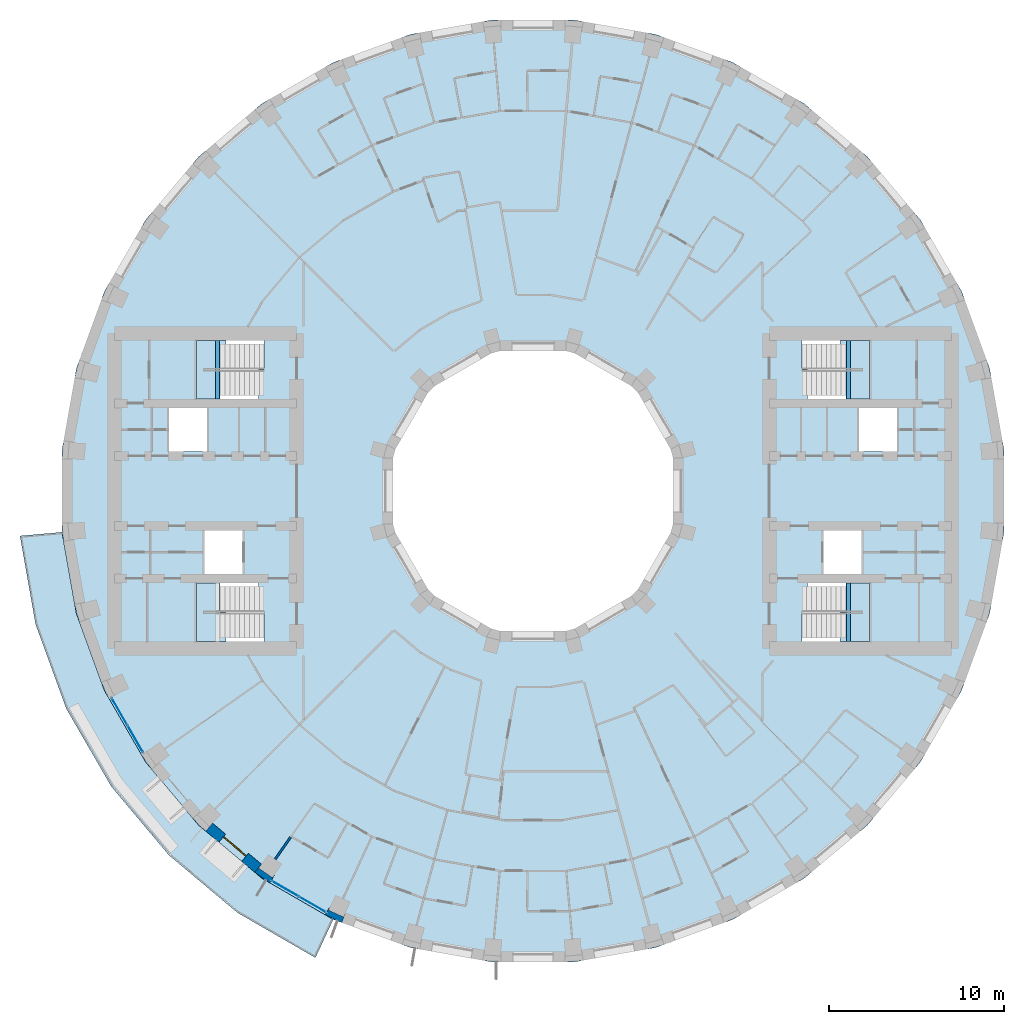
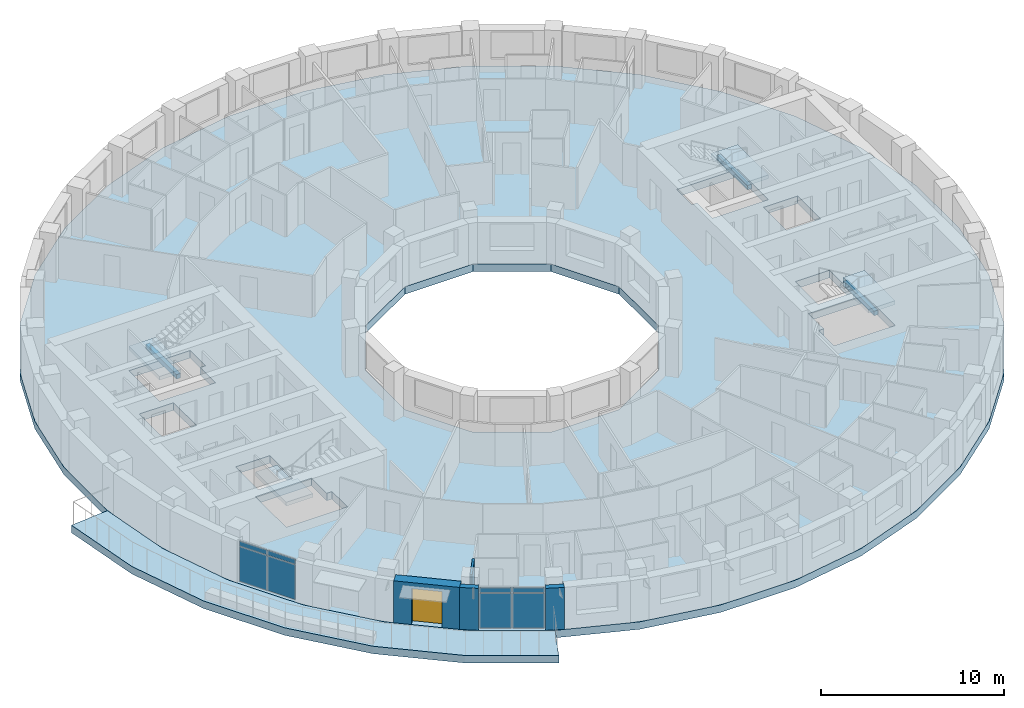
# One storey, part 3 of 16: 8 plates, 6 slabs, 4 walls, 3 beams, 1 door, 1 opening, 6 elements without a shape of their own.
"""IFC4 building model written with IfcOpenShell, lengths in metres."""

from ifc_helpers import new_model, si_unit, direction, frame, frame_2d, origin, origin_2d, place, context, subcontext, project, spatial, polyline, rectangle, outline, extrude, material, layer, layer_set, material_profile, profile_set, type_object, element, fill, aggregate, save


model = new_model("IFC4")

# Units and contexts
model_context = context("Model", 3, precision=1e-05, world=origin(), true_north=direction((0.0, 1.0)))
body_context = subcontext(model_context, "Body", "Model", "MODEL_VIEW")
ifc_project = project(units=[si_unit("LENGTHUNIT", "METRE"), si_unit("AREAUNIT", "SQUARE_METRE"), si_unit("VOLUMEUNIT", "CUBIC_METRE"), si_unit("PLANEANGLEUNIT", "RADIAN"), si_unit("MASSUNIT", "GRAM", prefix="KILO")], contexts=[model_context])

# Site, building, storey
site_placement = place(None, origin())
site = spatial("IfcSite", under=ifc_project, at=site_placement, CompositionType="ELEMENT")
building_placement = place(site_placement, origin())
building = spatial("IfcBuilding", under=site, at=building_placement, Name="Saqina Gate Tower", CompositionType="ELEMENT")
storey_placement = place(building_placement, frame((0.0, 0.0, 128.199951171875)))
storey = spatial("IfcBuildingStorey", under=building, at=storey_placement, Name="L36", CompositionType="ELEMENT", Elevation=128.199951171875)

# Beams
ifc_material_1 = material(Name="Concrete C40/50", Category="concrete")
ifc_material_profile = material_profile(ifc_material_1, rectangle(XDim=0.25, YDim=0.300048828125, at=origin_2d()), Name="STAIR LANDING BEAM")
ifc_profile_set = profile_set([ifc_material_profile], Name="Concrete C40/50")
beam_type = type_object("IfcBeamType", Name="STAIR LANDING BEAM", PredefinedType="BEAM", material=ifc_profile_set)
for number, where, z_axis, x_axis, name in (
    (1, (18.02001953125, 5.25, 1.25), (0.0, 1.0, 0.0), (-1.0, 0.0, 0.0), "EXIT STAIR 1 LANDING BEAM"),
    (2, (18.02001953125, -8.60009765625, 1.25), (0.0, 1.0, 0.0), (-1.0, 0.0, 0.0), "EXIT STAIR 2 LANDING BEAM"),
    (3, (-18.02001953125, 5.25, 1.25), (0.0, 1.0, 0.0), (-1.0, 0.0, 0.0), "EXIT STAIR 3 LANDING BEAM"),
):
    element("IfcBeam", number, at=place(storey_placement, frame(where, z_axis=z_axis, x_axis=x_axis)), inside=storey, type_object=beam_type, Name=name, PredefinedType="BEAM", context=body_context, shape_type="SweptSolid", body=[
        extrude(rectangle(XDim=0.25, YDim=0.300048828125, at=origin_2d()), origin(), (0.0, 0.0, 1.0), 3.35009765625),
    ])

# Curtain wall, plates
ifc_material_2 = material(Name="Aluminium glazing", Category="aluminium")
ifc_layer_1 = layer(ifc_material_2, 0.159912109375)
ifc_layer_set_1 = layer_set([ifc_layer_1], Name="CWT-4")
curtain_wall_type = type_object("IfcCurtainWallType", Name="CWT-4", PredefinedType="NOTDEFINED", material=ifc_layer_set_1)
curtain_wall_1_placement = place(storey_placement, origin())
curtain_wall_1 = element("IfcCurtainWall", 4, at=curtain_wall_1_placement, inside=storey, type_object=curtain_wall_type, Name="Terrace lounge glazing facet 21", PredefinedType="NOTDEFINED")
ifc_material_3 = material(Name="Glass", Category="glass")
ifc_layer_2 = layer(ifc_material_3, 0.028076171875)
ifc_layer_set_2 = layer_set([ifc_layer_2], Name="CWT-4P")
plate_type = type_object("IfcPlateType", Name="CWT-4P", PredefinedType="CURTAIN_PANEL", material=ifc_layer_set_2)
plate_1_placement = place(storey_placement, frame((-23.6123046875, -12.596923828125, 0.06005859375), z_axis=(0.0, 0.0, 1.0), x_axis=(0.499998512381, -0.86602626266, 0.0)))
plate_1 = element("IfcPlate", 5, at=plate_1_placement, type_object=plate_type, Name="CW4-21 panel 1.1", PredefinedType="CURTAIN_PANEL", context=body_context, shape_type="SweptSolid", body=[
    extrude(rectangle(XDim=1.73388671875, YDim=0.028076171875, at=origin_2d()), origin(), (0.0, 0.0, 1.0), 2.31005859375),
])
plate_2_placement = place(storey_placement, frame((-23.6123046875, -12.596923828125, 2.429931640625), z_axis=(0.0, 0.0, 1.0), x_axis=(0.499998512381, -0.86602626266, 0.0)))
plate_2 = element("IfcPlate", 6, at=plate_2_placement, type_object=plate_type, Name="CW4-21 panel 1.2", PredefinedType="CURTAIN_PANEL", context=body_context, shape_type="SweptSolid", body=[
    extrude(rectangle(XDim=1.73388671875, YDim=0.028076171875, at=origin_2d()), origin(), (0.0, 0.0, 1.0), 0.31005859375),
])
plate_3_placement = place(storey_placement, frame((-22.71533203125, -14.150390625, 0.06005859375), z_axis=(0.0, 0.0, 1.0), x_axis=(0.499998512381, -0.86602626266, 0.0)))
plate_3 = element("IfcPlate", 7, at=plate_3_placement, type_object=plate_type, Name="CW4-21 panel 2.1", PredefinedType="CURTAIN_PANEL", context=body_context, shape_type="SweptSolid", body=[
    extrude(rectangle(XDim=1.73388671875, YDim=0.028076171875, at=origin_2d()), origin(), (0.0, 0.0, 1.0), 2.31005859375),
])
plate_4_placement = place(storey_placement, frame((-22.71533203125, -14.150390625, 2.429931640625), z_axis=(0.0, 0.0, 1.0), x_axis=(0.499998512381, -0.86602626266, 0.0)))
plate_4 = element("IfcPlate", 8, at=plate_4_placement, type_object=plate_type, Name="CW4-21 panel 2.2", PredefinedType="CURTAIN_PANEL", context=body_context, shape_type="SweptSolid", body=[
    extrude(rectangle(XDim=1.73388671875, YDim=0.028076171875, at=origin_2d()), origin(), (0.0, 0.0, 1.0), 0.31005859375),
])
aggregate(curtain_wall_1, [plate_1, plate_2, plate_3, plate_4])

curtain_wall_2_placement = place(storey_placement, origin())
curtain_wall_2 = element("IfcCurtainWall", 9, at=curtain_wall_2_placement, inside=storey, type_object=curtain_wall_type, Name="Terrace lounge glazing facet 24", PredefinedType="NOTDEFINED")
plate_5_placement = place(storey_placement, frame((-14.150390625, -22.71533203125, 0.06005859375), z_axis=(0.0, 0.0, 1.0), x_axis=(0.86602626266, -0.499998512381, 0.0)))
plate_5 = element("IfcPlate", 10, at=plate_5_placement, type_object=plate_type, Name="CW4-24 panel 1.1", PredefinedType="CURTAIN_PANEL", context=body_context, shape_type="SweptSolid", body=[
    extrude(rectangle(XDim=1.73388671875, YDim=0.028076171875, at=origin_2d()), origin(), (0.0, 0.0, 1.0), 2.31005859375),
])
plate_6_placement = place(storey_placement, frame((-14.150390625, -22.71533203125, 2.429931640625), z_axis=(0.0, 0.0, 1.0), x_axis=(0.86602626266, -0.499998512381, 0.0)))
plate_6 = element("IfcPlate", 11, at=plate_6_placement, type_object=plate_type, Name="CW4-24 panel 1.2", PredefinedType="CURTAIN_PANEL", context=body_context, shape_type="SweptSolid", body=[
    extrude(rectangle(XDim=1.73388671875, YDim=0.028076171875, at=origin_2d()), origin(), (0.0, 0.0, 1.0), 0.31005859375),
])
plate_7_placement = place(storey_placement, frame((-12.596923828125, -23.6123046875, 0.06005859375), z_axis=(0.0, 0.0, 1.0), x_axis=(0.86602626266, -0.499998512381, 0.0)))
plate_7 = element("IfcPlate", 12, at=plate_7_placement, type_object=plate_type, Name="CW4-24 panel 2.1", PredefinedType="CURTAIN_PANEL", context=body_context, shape_type="SweptSolid", body=[
    extrude(rectangle(XDim=1.73388671875, YDim=0.028076171875, at=origin_2d()), origin(), (0.0, 0.0, 1.0), 2.31005859375),
])
plate_8_placement = place(storey_placement, frame((-12.596923828125, -23.6123046875, 2.429931640625), z_axis=(0.0, 0.0, 1.0), x_axis=(0.86602626266, -0.499998512381, 0.0)))
plate_8 = element("IfcPlate", 13, at=plate_8_placement, type_object=plate_type, Name="CW4-24 panel 2.2", PredefinedType="CURTAIN_PANEL", context=body_context, shape_type="SweptSolid", body=[
    extrude(rectangle(XDim=1.73388671875, YDim=0.028076171875, at=origin_2d()), origin(), (0.0, 0.0, 1.0), 0.31005859375),
])
aggregate(curtain_wall_2, [plate_5, plate_6, plate_7, plate_8])

# Stair, slab
ifc_material_4 = material(Name="Concrete C40/50", Category="concrete")
stair_type = type_object("IfcStairType", Name="EXIT STAIR", PredefinedType="HALF_TURN_STAIR", material=ifc_material_4)
stair_1_placement = place(storey_placement, origin())
stair_1 = element("IfcStair", 14, at=stair_1_placement, inside=storey, type_object=stair_type, Name="EXIT STAIR 1", PredefinedType="HALF_TURN_STAIR")
ifc_material_5 = material(Name="Concrete C40/50", Category="concrete")
ifc_layer_3 = layer(ifc_material_5, 0.25)
ifc_layer_set_3 = layer_set([ifc_layer_3], Name="Concrete C40/50")
slab_type_1 = type_object("IfcSlabType", Name="EXIT STAIR LANDING", PredefinedType="LANDING", material=ifc_layer_set_3)
slab_1_placement = place(storey_placement, frame((0.0, 0.0, 1.400146484375)))
slab_1 = element("IfcSlab", 15, at=slab_1_placement, type_object=slab_type_1, Name="EXIT STAIR 1 LANDING 1", PredefinedType="LANDING", context=body_context, shape_type="SweptSolid", body=[
    extrude(outline(polyline([(19.219970703125, 8.60009765625), (19.219970703125, 5.25), (17.864990234375, 5.25), (17.864990234375, 6.925048828125), (17.534423828125, 6.925048828125), (17.534423828125, 8.60009765625), (17.864990234375, 8.60009765625), (17.8701171875, 8.60009765625), (19.219970703125, 8.60009765625)])), origin(), (0.0, 0.0, 1.0), 0.25),
])
aggregate(stair_1, [slab_1])

stair_2_placement = place(storey_placement, origin())
stair_2 = element("IfcStair", 16, at=stair_2_placement, inside=storey, type_object=stair_type, Name="EXIT STAIR 2", PredefinedType="HALF_TURN_STAIR")
slab_2_placement = place(storey_placement, frame((0.0, 0.0, 1.400146484375)))
slab_2 = element("IfcSlab", 17, at=slab_2_placement, type_object=slab_type_1, Name="EXIT STAIR 2 LANDING 1", PredefinedType="LANDING", context=body_context, shape_type="SweptSolid", body=[
    extrude(outline(polyline([(17.534423828125, -8.60009765625), (17.534423828125, -6.925048828125), (17.864990234375, -6.925048828125), (17.864990234375, -5.25), (19.219970703125, -5.25), (19.219970703125, -8.60009765625), (17.8701171875, -8.60009765625), (17.864990234375, -8.60009765625), (17.534423828125, -8.60009765625)])), origin(), (0.0, 0.0, 1.0), 0.25),
])
aggregate(stair_2, [slab_2])

stair_3_placement = place(storey_placement, origin())
stair_3 = element("IfcStair", 18, at=stair_3_placement, inside=storey, type_object=stair_type, Name="EXIT STAIR 3", PredefinedType="HALF_TURN_STAIR")
slab_3_placement = place(storey_placement, frame((0.0, 0.0, 1.400146484375)))
slab_3 = element("IfcSlab", 19, at=slab_3_placement, type_object=slab_type_1, Name="EXIT STAIR 3 LANDING 1", PredefinedType="LANDING", context=body_context, shape_type="SweptSolid", body=[
    extrude(outline(polyline([(-17.864990234375, 5.25), (-19.219970703125, 5.25), (-19.219970703125, 8.60009765625), (-17.8701171875, 8.60009765625), (-17.864990234375, 8.60009765625), (-17.534423828125, 8.60009765625), (-17.534423828125, 6.925048828125), (-17.864990234375, 6.925048828125), (-17.864990234375, 5.25)])), origin(), (0.0, 0.0, 1.0), 0.25),
])
aggregate(stair_3, [slab_3])

stair_4_placement = place(storey_placement, origin())
stair_4 = element("IfcStair", 20, at=stair_4_placement, inside=storey, type_object=stair_type, Name="EXIT STAIR 4", PredefinedType="HALF_TURN_STAIR")
slab_4_placement = place(storey_placement, frame((0.0, 0.0, 1.400146484375)))
slab_4 = element("IfcSlab", 21, at=slab_4_placement, type_object=slab_type_1, Name="EXIT STAIR 4 LANDING 1", PredefinedType="LANDING", context=body_context, shape_type="SweptSolid", body=[
    extrude(outline(polyline([(-17.534423828125, -6.925048828125), (-17.534423828125, -8.60009765625), (-17.864990234375, -8.60009765625), (-17.8701171875, -8.60009765625), (-19.219970703125, -8.60009765625), (-19.219970703125, -5.25), (-17.864990234375, -5.25), (-17.864990234375, -6.925048828125), (-17.534423828125, -6.925048828125)])), origin(), (0.0, 0.0, 1.0), 0.25),
])
aggregate(stair_4, [slab_4])

# Slabs
ifc_material_6 = material(Name="Concrete C40/50", Category="concrete")
ifc_layer_4 = layer(ifc_material_6, 0.5)
ifc_layer_set_4 = layer_set([ifc_layer_4], Name="Concrete C40/50")
slab_type_2 = type_object("IfcSlabType", Name="STR-POST-TENSIONED FLAT PLATE FLOOR-500", PredefinedType="FLOOR", material=ifc_layer_set_4)
slab_5_placement = place(storey_placement, frame((0.0, 0.0, -0.5)))
element("IfcSlab", 22, at=slab_5_placement, inside=storey, type_object=slab_type_2, Name="L36-SLB01", PredefinedType="FLOOR", context=body_context, shape_type="SweptSolid", body=[
    extrude(outline(polyline([(26.080078125, -6.988037109375), (26.897216796875, -2.353271484375), (26.897216796875, 2.353271484375), (26.080078125, 6.988037109375), (24.47021484375, 11.41064453125), (22.1171875, 15.486572265625), (19.091796875, 19.091796875), (15.486572265625, 22.1171875), (11.41064453125, 24.47021484375), (6.988037109375, 26.080078125), (2.353271484375, 26.897216796875), (-2.353271484375, 26.897216796875), (-6.988037109375, 26.080078125), (-11.41064453125, 24.47021484375), (-15.486572265625, 22.1171875), (-19.091796875, 19.091796875), (-22.1171875, 15.486572265625), (-24.47021484375, 11.41064453125), (-26.080078125, 6.988037109375), (-26.897216796875, 2.353271484375), (-26.897216796875, -2.353271484375), (-26.080078125, -6.988037109375), (-24.47021484375, -11.41064453125), (-22.1171875, -15.486572265625), (-19.091796875, -19.091796875), (-15.486572265625, -22.1171875), (-11.41064453125, -24.47021484375), (-6.988037109375, -26.080078125), (-2.353271484375, -26.897216796875), (2.353271484375, -26.897216796875), (6.988037109375, -26.080078125), (11.41064453125, -24.47021484375), (15.486572265625, -22.1171875), (19.091796875, -19.091796875), (22.1171875, -15.486572265625), (24.47021484375, -11.41064453125), (26.080078125, -6.988037109375)]), holes=[polyline([(2.1435546875, 8.0), (5.8564453125, 5.8564453125), (8.0, 2.1435546875), (8.0, -2.1435546875), (5.8564453125, -5.8564453125), (2.1435546875, -8.0), (-2.1435546875, -8.0), (-5.8564453125, -5.8564453125), (-8.0, -2.1435546875), (-8.0, 2.1435546875), (-5.8564453125, 5.8564453125), (-2.1435546875, 8.0), (2.1435546875, 8.0)]), polyline([(-15.35498046875, -8.60009765625), (-19.219970703125, -8.60009765625), (-19.219970703125, -6.925048828125), (-19.219970703125, -5.25), (-15.685546875, -5.25), (-15.685546875, -6.925048828125), (-15.35498046875, -6.925048828125), (-15.35498046875, -8.60009765625)]), polyline([(-16.590087890625, -2.25), (-16.590087890625, -4.75), (-18.75, -4.75), (-18.75, -2.25), (-16.590087890625, -2.25)]), polyline([(-20.780029296875, 4.75), (-18.6201171875, 4.75), (-18.6201171875, 2.25), (-20.780029296875, 2.25), (-20.780029296875, 4.75)]), polyline([(-19.219970703125, 6.925048828125), (-19.219970703125, 8.60009765625), (-15.35498046875, 8.60009765625), (-15.35498046875, 6.925048828125), (-15.685546875, 6.925048828125), (-15.685546875, 5.25), (-19.219970703125, 5.25), (-19.219970703125, 6.925048828125)]), polyline([(15.35498046875, -8.60009765625), (15.35498046875, -6.925048828125), (15.685546875, -6.925048828125), (15.685546875, -5.25), (19.219970703125, -5.25), (19.219970703125, -6.925048828125), (19.219970703125, -8.60009765625), (15.35498046875, -8.60009765625)]), polyline([(18.75, -2.25), (18.75, -4.75), (16.590087890625, -4.75), (16.590087890625, -2.25), (18.75, -2.25)]), polyline([(18.6201171875, 4.75), (20.780029296875, 4.75), (20.780029296875, 2.25), (18.6201171875, 2.25), (18.6201171875, 4.75)]), polyline([(15.685546875, 6.925048828125), (15.35498046875, 6.925048828125), (15.35498046875, 8.60009765625), (19.219970703125, 8.60009765625), (19.219970703125, 6.925048828125), (19.219970703125, 5.25), (15.685546875, 5.25), (15.685546875, 6.925048828125)])]), origin(), (0.0, 0.0, 1.0), 0.5),
])
ifc_material_7 = material(Name="Concrete C40/50", Category="concrete")
ifc_layer_5 = layer(ifc_material_7, 0.5)
ifc_layer_set_5 = layer_set([ifc_layer_5], Name="Concrete C40/50")
slab_type_3 = type_object("IfcSlabType", Name="STR-POST-TENSIONED FLAT PLATE TERRACE-500", PredefinedType="FLOOR", material=ifc_layer_set_5)
slab_6_placement = place(storey_placement, frame((0.0, 0.0, -0.5)))
element("IfcSlab", 23, at=slab_6_placement, inside=storey, type_object=slab_type_3, Name="L36-TRS01", PredefinedType="FLOOR", context=body_context, shape_type="SweptSolid", body=[
    extrude(outline(polyline([(-26.897216796875, -2.353271484375), (-26.080078125, -6.988037109375), (-24.47021484375, -11.41064453125), (-22.1171875, -15.486572265625), (-19.091796875, -19.091796875), (-15.486572265625, -22.1171875), (-11.41064453125, -24.47021484375), (-12.428955078125, -26.65380859375), (-16.868408203125, -24.090576171875), (-20.79541015625, -20.79541015625), (-24.090576171875, -16.868408203125), (-26.65380859375, -12.428955078125), (-28.406982421875, -7.611572265625), (-29.29736328125, -2.563232421875), (-26.897216796875, -2.353271484375)])), origin(), (0.0, 0.0, 1.0), 0.5),
])

# Walls
ifc_material_8 = material(Name="Brick masonry (buff)", Category="masonry")
wall_type_1 = type_object("IfcWallType", Name="BRICK PIER COPING BUFF", PredefinedType="SOLIDWALL", material=ifc_material_8)
wall_1_placement = place(storey_placement, origin())
element("IfcWall", 24, at=wall_1_placement, inside=storey, type_object=wall_type_1, Name="Pier cap L36 column 24", PredefinedType="SOLIDWALL", context=body_context, shape_type="SweptSolid", body=[
    extrude(outline(polyline([(-15.0283203125, -22.3818359375), (-14.728271484375, -21.862060546875), (-14.88232421875, -22.08251953125), (-15.66064453125, -21.53759765625), (-15.50634765625, -21.317138671875), (-15.89208984375, -21.77685546875), (-15.0283203125, -22.3818359375)])), origin(), (0.0, 0.0, 1.0), 2.800048828125),
])
wall_2_placement = place(storey_placement, origin())
element("IfcWall", 25, at=wall_2_placement, inside=storey, type_object=wall_type_1, Name="Pier cap L36 column 25", PredefinedType="SOLIDWALL", context=body_context, shape_type="SweptSolid", body=[
    extrude(outline(polyline([(-10.913330078125, -24.6513671875), (-10.7080078125, -24.08740234375), (-10.82177734375, -24.331298828125), (-11.6826171875, -23.9296875), (-11.569091796875, -23.68603515625), (-11.869140625, -24.205810546875), (-10.913330078125, -24.6513671875)])), origin(), (0.0, 0.0, 1.0), 2.800048828125),
])

# Wall, opening, door
ifc_material_9 = material(Name="Brick masonry (buff)", Category="masonry")
ifc_layer_6 = layer(ifc_material_9, 0.60009765625)
ifc_layer_set_6 = layer_set([ifc_layer_6], Name="FW-BRICK-BUFF")
wall_type_2 = type_object("IfcWallType", Name="FW-BRICK-BUFF", PredefinedType="SOLIDWALL", material=ifc_layer_set_6)
wall_3_placement = place(storey_placement, frame((-18.49365234375, -19.202392578125, 0.0), z_axis=(0.0, 0.0, 1.0), x_axis=(0.766055462616, -0.642774476932, 0.0)))
wall_3 = element("IfcWall", 26, at=wall_3_placement, inside=storey, type_object=wall_type_2, Name="Facade wall L36 facet 23", PredefinedType="SOLIDWALL", context=body_context, shape_type="SweptSolid", body=[
    extrude(rectangle(XDim=3.647705078125, YDim=0.60009765625, at=frame_2d((1.82373046875, 0.0))), origin(), (0.0, 0.0, 1.0), 2.800048828125),
])
opening_placement = place(wall_3_placement, frame((0.973876953125, 0.0, 0.0)))
opening = element("IfcOpeningElement", 27, at=opening_placement, cuts=wall_3, Name="Opening G10-D81", PredefinedType="OPENING", context=body_context, shape_type="SweptSolid", body=[
    extrude(rectangle(XDim=1.699951171875, YDim=2.39990234375, at=frame_2d((0.85009765625, 1.199951171875))), frame((0.0, 0.31201171875, 0.0), z_axis=(0.0, -1.0, 0.0), x_axis=(1.0, 0.0, 0.0)), (0.0, 0.0, 1.0), 0.6240234375),
])
ifc_material_10 = material(Name="Aluminium glazing", Category="aluminium")
door_type = type_object("IfcDoorType", Name="GD-B", OperationType="DOUBLE_DOOR_SINGLE_SWING", PredefinedType="DOOR", material=ifc_material_10)
door_placement = place(opening_placement, frame((1.699951171875, 0.0, 0.0), z_axis=(0.0, 0.0, 1.0), x_axis=(-1.0, 0.0, 0.0)))
door = element("IfcDoor", 28, at=door_placement, inside=storey, type_object=door_type, Name="Terrace door L36 facet 23", OperationType="DOUBLE_DOOR_SINGLE_SWING", OverallHeight=2.39990234375, OverallWidth=1.699951171875, PredefinedType="DOOR", context=body_context, shape_type="SweptSolid", body=[
    extrude(rectangle(XDim=1.699951171875, YDim=2.39990234375, at=frame_2d((0.85009765625, 1.199951171875))), frame((0.0, -0.0751953125, 0.0), z_axis=(0.0, -1.0, 0.0), x_axis=(1.0, 0.0, 0.0)), (0.0, 0.0, 1.0), 0.050048828125),
])
fill(opening, door)

# Wall
ifc_material_11 = material(Name="Gypsum board on steel studs, 125 mm, fire rated", Category="steel")
ifc_layer_7 = layer(ifc_material_11, 0.125)
ifc_layer_set_7 = layer_set([ifc_layer_7], Name="PARTITION EI 30 125")
wall_type_3 = type_object("IfcWallType", Name="PARTITION EI 30 125", PredefinedType="PARTITIONING", material=ifc_layer_set_7)
wall_4_placement = place(storey_placement, frame((-14.720703125, -21.0234375, 0.0), z_axis=(0.0, 0.0, 1.0), x_axis=(0.573344270264, 0.819314559711, 0.0)))
element("IfcWall", 29, at=wall_4_placement, inside=storey, type_object=wall_type_3, Name="PARTITION PW1-52", PredefinedType="PARTITIONING", context=body_context, shape_type="SweptSolid", body=[
    extrude(rectangle(XDim=1.526611328125, YDim=0.125, at=frame_2d((0.76318359375, 0.0))), origin(), (0.0, 0.0, 1.0), 2.800048828125),
])

save(model, "model.ifc")
